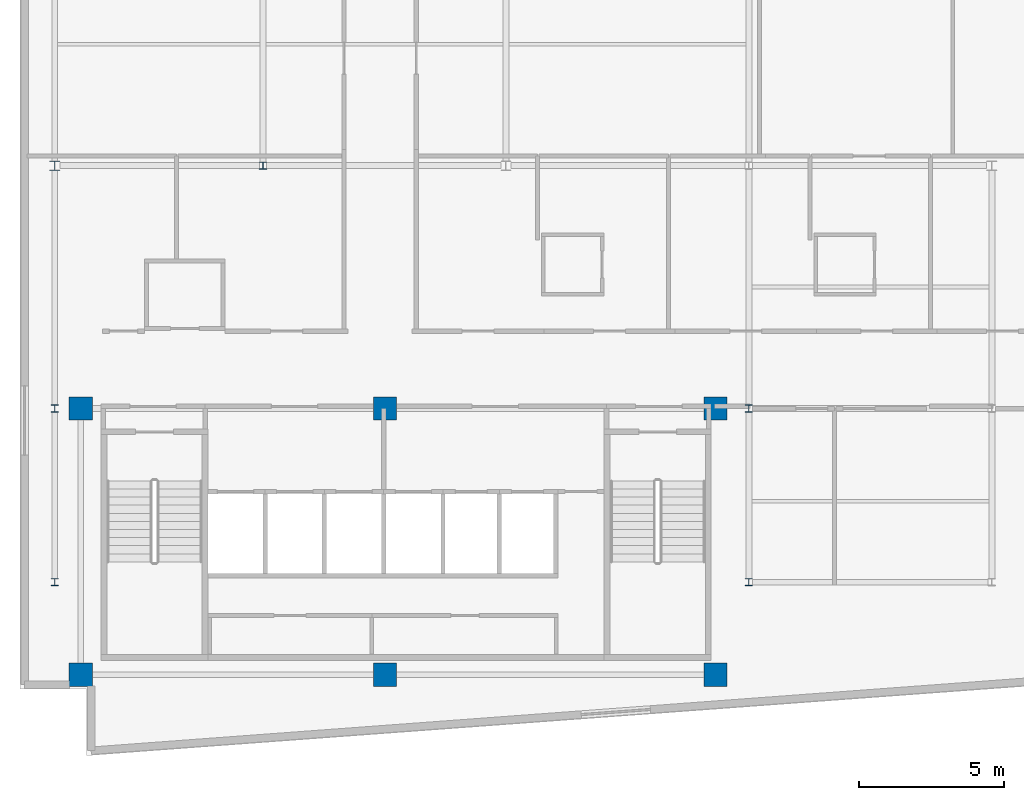
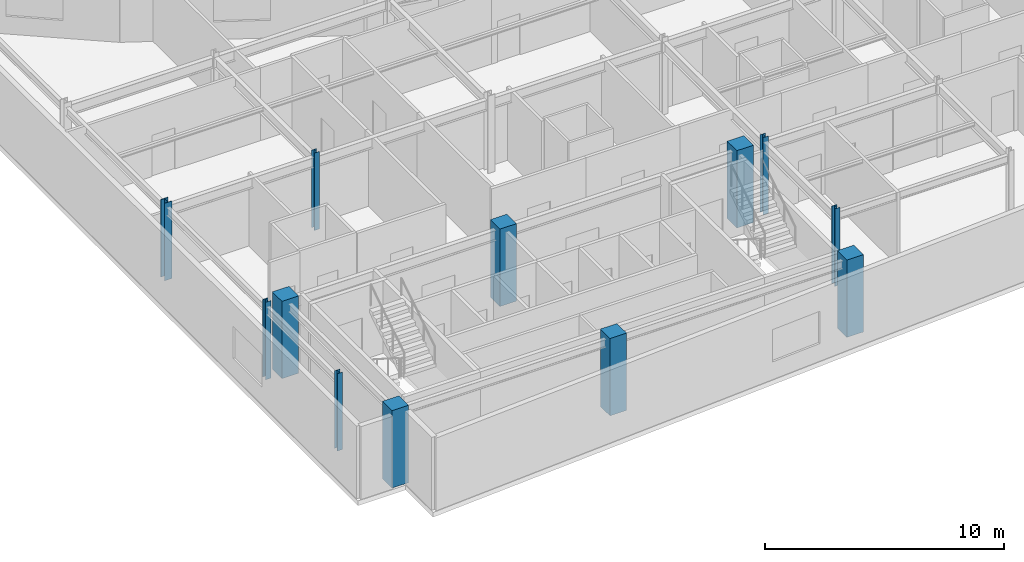
# One storey, part 1 of 15: 12 columns.
"""IFC4 building model written with IfcOpenShell, lengths in metres."""

from ifc_helpers import new_model, si_unit, direction, frame, origin, origin_2d, place, context, subcontext, project, spatial, rectangle, i_section, extrude, material, material_profile, profile_set, type_object, element, save


model = new_model("IFC4")

# Units and contexts
model_context = context("Model", 3, precision=1e-05, world=origin(), true_north=direction((0.0, 1.0)))
body_context = subcontext(model_context, "Body", "Model", "MODEL_VIEW")
ifc_project = project(units=[si_unit("LENGTHUNIT", "METRE"), si_unit("AREAUNIT", "SQUARE_METRE"), si_unit("VOLUMEUNIT", "CUBIC_METRE"), si_unit("PLANEANGLEUNIT", "RADIAN"), si_unit("MASSUNIT", "GRAM", prefix="KILO")], contexts=[model_context])

# Site, building, storey
site_placement = place(None, origin())
site = spatial("IfcSite", under=ifc_project, at=site_placement, CompositionType="ELEMENT")
building_placement = place(site_placement, origin())
building = spatial("IfcBuilding", under=site, at=building_placement, Name="Varnakote Quay Hospital", CompositionType="ELEMENT")
storey_placement = place(building_placement, frame((0.0, 0.0, 276.300048828125)))
storey = spatial("IfcBuildingStorey", under=building, at=storey_placement, Name="L68", CompositionType="ELEMENT", Elevation=276.300048828125)

# Columns
ifc_material_1 = material(Name="Concrete N50 (f'c 50 MPa)", Category="concrete")
ifc_material_profile_1 = material_profile(ifc_material_1, rectangle(XDim=0.800048828125, YDim=0.800048828125, at=origin_2d()), Name="RC-COL-800x800")
ifc_profile_set_1 = profile_set([ifc_material_profile_1], Name="Concrete N50 (f'c 50 MPa)")
column_type_1 = type_object("IfcColumnType", Name="COL-RC-800", PredefinedType="COLUMN", material=ifc_profile_set_1)
for number, where, z_axis, x_axis, name in (
    (1, (2.10009765625, 2.800048828125, 0.0), (0.0, 0.0, 1.0), (1.0, 0.0, 0.0), "L68 Structural Column C-2-3"),
    (2, (12.6201171875, 2.800048828125, 0.0), (0.0, 0.0, 1.0), (1.0, 0.0, 0.0), "L68 Structural Column C-13-3"),
    (3, (24.050048828125, 2.800048828125, 0.0), (0.0, 0.0, 1.0), (1.0, 0.0, 0.0), "L68 Structural Column C-24-3"),
    (4, (2.10009765625, 12.0, 0.0), (0.0, 0.0, 1.0), (1.0, 0.0, 0.0), "L68 Structural Column C-2-12"),
    (5, (12.6201171875, 12.0, 0.0), (0.0, 0.0, 1.0), (1.0, 0.0, 0.0), "L68 Structural Column C-13-12"),
    (6, (24.050048828125, 12.0, 0.0), (0.0, 0.0, 1.0), (1.0, 0.0, 0.0), "L68 Structural Column C-24-12"),
):
    element("IfcColumn", number, at=place(storey_placement, frame(where, z_axis=z_axis, x_axis=x_axis)), inside=storey, type_object=column_type_1, Name=name, PredefinedType="COLUMN", context=body_context, shape_type="SweptSolid", body=[
        extrude(rectangle(XDim=0.800048828125, YDim=0.800048828125, at=origin_2d()), origin(), (0.0, 0.0, 1.0), 3.949951171875),
    ])
ifc_material_2 = material(Name="Structural steel AS/NZS 3679.1 Grade 350 L0 (fy 340 MPa)", Category="steel")
ifc_material_profile_2 = material_profile(ifc_material_2, i_section(OverallWidth=0.25390625, OverallDepth=0.25390625, WebThickness=0.008544921875, FlangeThickness=0.01416015625, FilletRadius=0.0126953125, at=origin_2d()), Name="250UC72.9")
ifc_profile_set_2 = profile_set([ifc_material_profile_2], Name="Structural steel AS/NZS 3679.1 Grade 350 L0 (fy 340 MPa)")
column_type_2 = type_object("IfcColumnType", Name="COL-STL-250UC72-9", PredefinedType="COLUMN", material=ifc_profile_set_2)
for number, where, z_axis, x_axis, name in (
    (7, (1.199951171875, 6.0, 0.0), (0.0, 0.0, 1.0), (1.0, 0.0, 0.0), "L68 Structural Column C-1-6"),
    (8, (25.199951171875, 6.0, 0.0), (0.0, 0.0, 1.0), (1.0, 0.0, 0.0), "L68 Structural Column C-25-6"),
    (9, (1.199951171875, 12.0, 0.0), (0.0, 0.0, 1.0), (1.0, 0.0, 0.0), "L68 Structural Column C-1-12"),
    (10, (25.199951171875, 12.0, 0.0), (0.0, 0.0, 1.0), (1.0, 0.0, 0.0), "L68 Structural Column C-25-12"),
    (11, (8.39990234375, 20.39990234375, 0.0), (0.0, 0.0, 1.0), (1.0, 0.0, 0.0), "L68 Structural Column C-8-20"),
):
    element("IfcColumn", number, at=place(storey_placement, frame(where, z_axis=z_axis, x_axis=x_axis)), inside=storey, type_object=column_type_2, Name=name, PredefinedType="COLUMN", context=body_context, shape_type="SweptSolid", body=[
        extrude(i_section(OverallWidth=0.25390625, OverallDepth=0.25390625, WebThickness=0.008544921875, FlangeThickness=0.01416015625, FilletRadius=0.0126953125, at=origin_2d()), origin(), (0.0, 0.0, 1.0), 3.949951171875),
    ])
ifc_material_3 = material(Name="Structural steel AS/NZS 3678 Grade 350 (fy 340 MPa)", Category="steel")
ifc_material_profile_3 = material_profile(ifc_material_3, i_section(OverallWidth=0.35009765625, OverallDepth=0.340087890625, WebThickness=0.01611328125, FlangeThickness=0.028076171875, at=origin_2d()), Name="350WC197")
ifc_profile_set_3 = profile_set([ifc_material_profile_3], Name="Structural steel AS/NZS 3678 Grade 350 (fy 340 MPa)")
column_type_3 = type_object("IfcColumnType", Name="COL-STL-350WC197", PredefinedType="COLUMN", material=ifc_profile_set_3)
column_placement = place(storey_placement, frame((1.199951171875, 20.39990234375, 0.0), z_axis=(0.0, 0.0, 1.0), x_axis=(1.0, 0.0, 0.0)))
element("IfcColumn", 12, at=column_placement, inside=storey, type_object=column_type_3, Name="L68 Structural Column C-1-20", PredefinedType="COLUMN", context=body_context, shape_type="SweptSolid", body=[
    extrude(i_section(OverallWidth=0.35009765625, OverallDepth=0.340087890625, WebThickness=0.01611328125, FlangeThickness=0.028076171875, at=origin_2d()), origin(), (0.0, 0.0, 1.0), 3.949951171875),
])

save(model, "model.ifc")
